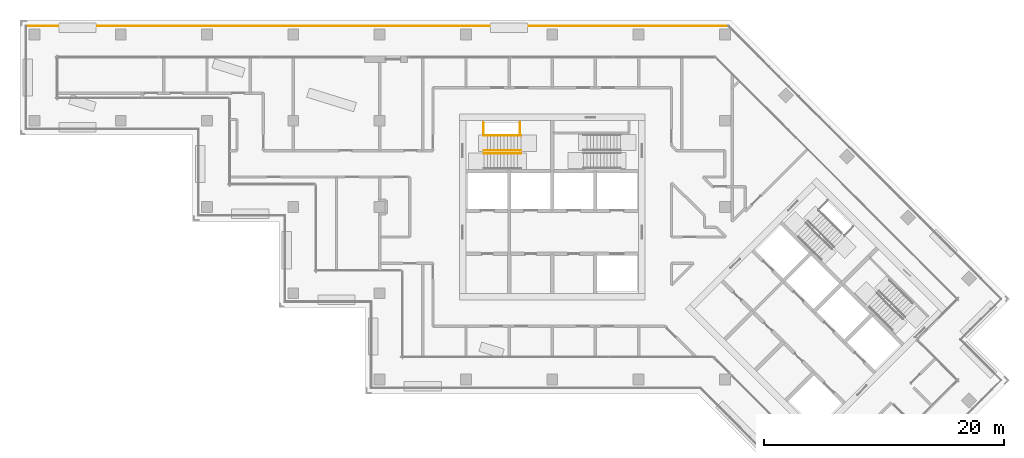
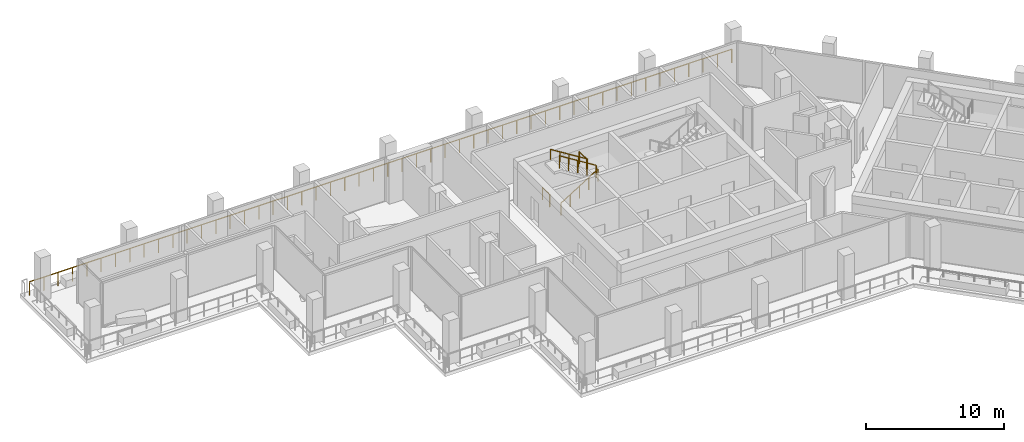
# One storey, part 16 of 19: 6 railings.
"""IFC4 building model written with IfcOpenShell, lengths in metres."""

from ifc_helpers import new_model, si_unit, direction, frame, origin, origin_2d, place, context, subcontext, project, spatial, circle, extrude, material, type_object, element, save


model = new_model("IFC4")

# Units and contexts
model_context = context("Model", 3, precision=1e-05, world=origin(), true_north=direction((0.0, 1.0)))
body_context = subcontext(model_context, "Body", "Model", "MODEL_VIEW")
ifc_project = project(units=[si_unit("LENGTHUNIT", "METRE"), si_unit("AREAUNIT", "SQUARE_METRE"), si_unit("VOLUMEUNIT", "CUBIC_METRE"), si_unit("PLANEANGLEUNIT", "RADIAN"), si_unit("MASSUNIT", "GRAM", prefix="KILO")], contexts=[model_context])

# Site, building, storey
site_placement = place(None, origin())
site = spatial("IfcSite", under=ifc_project, at=site_placement, CompositionType="ELEMENT")
building_placement = place(site_placement, origin())
building = spatial("IfcBuilding", under=site, at=building_placement, Name="Windrow Commons", CompositionType="ELEMENT")
storey_placement = place(building_placement, frame((0.0, 0.0, 185.4)))
storey = spatial("IfcBuildingStorey", under=building, at=storey_placement, Name="L50", CompositionType="ELEMENT", Elevation=185.4)

# Railings
ifc_material_1 = material(Name="Steel S355", Category="steel")
railing_type_1 = type_object("IfcRailingType", Name="Core stair guard 1100", PredefinedType="GUARDRAIL", material=ifc_material_1)
railing_1_placement = place(storey_placement, frame((59.1, 62.05, 0.175)))
element("IfcRailing", 1, at=railing_1_placement, inside=storey, type_object=railing_type_1, Name="L50 ST-A1 stair guard 1", PredefinedType="GUARDRAIL", context=body_context, shape_type="SweptSolid", body=[
    extrude(circle(Radius=0.024, at=origin_2d()), frame((0.0, 0.0, 1.076), z_axis=(0.847998304, 0.0, 0.52999894), x_axis=(0.0, 1.0, 0.0)), (0.0, 0.0, 1.0), 3.6321),
    extrude(circle(Radius=0.021, at=origin_2d()), origin(), (0.0, 0.0, 1.0), 1.052),
    extrude(circle(Radius=0.021, at=origin_2d()), frame((0.77, 0.0, 0.4813)), (0.0, 0.0, 1.0), 1.052),
    extrude(circle(Radius=0.021, at=origin_2d()), frame((1.54, 0.0, 0.9625)), (0.0, 0.0, 1.0), 1.052),
    extrude(circle(Radius=0.021, at=origin_2d()), frame((2.31, 0.0, 1.4438)), (0.0, 0.0, 1.0), 1.052),
    extrude(circle(Radius=0.021, at=origin_2d()), frame((3.08, 0.0, 1.925)), (0.0, 0.0, 1.0), 1.052),
])
railing_2_placement = place(storey_placement, frame((62.18, 62.3, 2.275)))
element("IfcRailing", 2, at=railing_2_placement, inside=storey, type_object=railing_type_1, Name="L50 ST-A1 stair guard 2", PredefinedType="GUARDRAIL", context=body_context, shape_type="SweptSolid", body=[
    extrude(circle(Radius=0.024, at=origin_2d()), frame((0.0, 0.0, 1.076), z_axis=(-0.847998304, 0.0, 0.52999894), x_axis=(0.0, -1.0, 0.0)), (0.0, 0.0, 1.0), 3.6321),
    extrude(circle(Radius=0.021, at=origin_2d()), origin(), (0.0, 0.0, 1.0), 1.052),
    extrude(circle(Radius=0.021, at=origin_2d()), frame((-0.77, 0.0, 0.4812)), (0.0, 0.0, 1.0), 1.052),
    extrude(circle(Radius=0.021, at=origin_2d()), frame((-1.54, 0.0, 0.9625)), (0.0, 0.0, 1.0), 1.052),
    extrude(circle(Radius=0.021, at=origin_2d()), frame((-2.31, 0.0, 1.4437)), (0.0, 0.0, 1.0), 1.052),
    extrude(circle(Radius=0.021, at=origin_2d()), frame((-3.08, 0.0, 1.925)), (0.0, 0.0, 1.0), 1.052),
])
for number, where, name in (
    (3, (59.05, 63.6, 0.0), "L50 ST-A1 stair guard 3"),
    (4, (62.11, 63.6, 2.1), "L50 ST-A1 stair guard 4"),
):
    element("IfcRailing", number, at=place(storey_placement, frame(where)), inside=storey, type_object=railing_type_1, Name=name, PredefinedType="GUARDRAIL", context=body_context, shape_type="SweptSolid", body=[
        extrude(circle(Radius=0.024, at=origin_2d()), frame((0.0, 0.0, 1.076), z_axis=(0.0, 1.0, 0.0), x_axis=(-1.0, 0.0, 0.0)), (0.0, 0.0, 1.0), 1.03),
        extrude(circle(Radius=0.021, at=origin_2d()), origin(), (0.0, 0.0, 1.0), 1.052),
        extrude(circle(Radius=0.021, at=origin_2d()), frame((0.0, 1.03, 0.0)), (0.0, 0.0, 1.0), 1.052),
    ])
ifc_material_2 = material(Name="Steel S355", Category="steel")
railing_type_2 = type_object("IfcRailingType", Name="Core stair handrail 900", PredefinedType="HANDRAIL", material=ifc_material_2)
railing_3_placement = place(storey_placement, frame((62.18, 63.55, 2.275)))
element("IfcRailing", 5, at=railing_3_placement, inside=storey, type_object=railing_type_2, Name="L50 ST-A1 stair handrail 2", PredefinedType="HANDRAIL", context=body_context, shape_type="SweptSolid", body=[
    extrude(circle(Radius=0.024, at=origin_2d()), frame((0.0, 0.0, 0.876), z_axis=(-0.847998304, 0.0, 0.52999894), x_axis=(0.0, -1.0, 0.0)), (0.0, 0.0, 1.0), 3.6321),
    extrude(circle(Radius=0.021, at=origin_2d()), origin(), (0.0, 0.0, 1.0), 0.852),
    extrude(circle(Radius=0.021, at=origin_2d()), frame((-0.77, 0.0, 0.4812)), (0.0, 0.0, 1.0), 0.852),
    extrude(circle(Radius=0.021, at=origin_2d()), frame((-1.54, 0.0, 0.9625)), (0.0, 0.0, 1.0), 0.852),
    extrude(circle(Radius=0.021, at=origin_2d()), frame((-2.31, 0.0, 1.4437)), (0.0, 0.0, 1.0), 0.852),
    extrude(circle(Radius=0.021, at=origin_2d()), frame((-3.08, 0.0, 1.925)), (0.0, 0.0, 1.0), 0.852),
])
ifc_material_3 = material(Name="Stainless steel S316 balustrade with toughened glass infill", Category="steel")
railing_type_3 = type_object("IfcRailingType", Name="Terrace guard 1200 podium", PredefinedType="BALUSTRADE", material=ifc_material_3)
railing_4_placement = place(storey_placement, frame((20.9, 72.7, 0.05)))
element("IfcRailing", 6, at=railing_4_placement, inside=storey, type_object=railing_type_3, Name="Guard TR-L50-1.E9", PredefinedType="BALUSTRADE", context=body_context, shape_type="SweptSolid", body=[
    extrude(circle(Radius=0.025, at=origin_2d()), frame((0.0, 0.0, 1.175), z_axis=(1.0, 0.0, 0.0), x_axis=(0.0, 1.0, 0.0)), (0.0, 0.0, 1.0), 58.59),
    extrude(circle(Radius=0.02, at=origin_2d()), origin(), (0.0, 0.0, 1.0), 1.15),
    extrude(circle(Radius=0.02, at=origin_2d()), frame((1.1957, 0.0, 0.0)), (0.0, 0.0, 1.0), 1.15),
    extrude(circle(Radius=0.02, at=origin_2d()), frame((2.3914, 0.0, 0.0)), (0.0, 0.0, 1.0), 1.15),
    extrude(circle(Radius=0.02, at=origin_2d()), frame((3.5871, 0.0, 0.0)), (0.0, 0.0, 1.0), 1.15),
    extrude(circle(Radius=0.02, at=origin_2d()), frame((4.7829, 0.0, 0.0)), (0.0, 0.0, 1.0), 1.15),
    extrude(circle(Radius=0.02, at=origin_2d()), frame((5.9786, 0.0, 0.0)), (0.0, 0.0, 1.0), 1.15),
    extrude(circle(Radius=0.02, at=origin_2d()), frame((7.1743, 0.0, 0.0)), (0.0, 0.0, 1.0), 1.15),
    extrude(circle(Radius=0.02, at=origin_2d()), frame((8.37, 0.0, 0.0)), (0.0, 0.0, 1.0), 1.15),
    extrude(circle(Radius=0.02, at=origin_2d()), frame((9.5657, 0.0, 0.0)), (0.0, 0.0, 1.0), 1.15),
    extrude(circle(Radius=0.02, at=origin_2d()), frame((10.7614, 0.0, 0.0)), (0.0, 0.0, 1.0), 1.15),
    extrude(circle(Radius=0.02, at=origin_2d()), frame((11.9571, 0.0, 0.0)), (0.0, 0.0, 1.0), 1.15),
    extrude(circle(Radius=0.02, at=origin_2d()), frame((13.1529, 0.0, 0.0)), (0.0, 0.0, 1.0), 1.15),
    extrude(circle(Radius=0.02, at=origin_2d()), frame((14.3486, 0.0, 0.0)), (0.0, 0.0, 1.0), 1.15),
    extrude(circle(Radius=0.02, at=origin_2d()), frame((15.5443, 0.0, 0.0)), (0.0, 0.0, 1.0), 1.15),
    extrude(circle(Radius=0.02, at=origin_2d()), frame((16.74, 0.0, 0.0)), (0.0, 0.0, 1.0), 1.15),
    extrude(circle(Radius=0.02, at=origin_2d()), frame((17.9357, 0.0, 0.0)), (0.0, 0.0, 1.0), 1.15),
    extrude(circle(Radius=0.02, at=origin_2d()), frame((19.1314, 0.0, 0.0)), (0.0, 0.0, 1.0), 1.15),
    extrude(circle(Radius=0.02, at=origin_2d()), frame((20.3271, 0.0, 0.0)), (0.0, 0.0, 1.0), 1.15),
    extrude(circle(Radius=0.02, at=origin_2d()), frame((21.5229, 0.0, 0.0)), (0.0, 0.0, 1.0), 1.15),
    extrude(circle(Radius=0.02, at=origin_2d()), frame((22.7186, 0.0, 0.0)), (0.0, 0.0, 1.0), 1.15),
    extrude(circle(Radius=0.02, at=origin_2d()), frame((23.9143, 0.0, 0.0)), (0.0, 0.0, 1.0), 1.15),
    extrude(circle(Radius=0.02, at=origin_2d()), frame((25.11, 0.0, 0.0)), (0.0, 0.0, 1.0), 1.15),
    extrude(circle(Radius=0.02, at=origin_2d()), frame((26.3057, 0.0, 0.0)), (0.0, 0.0, 1.0), 1.15),
    extrude(circle(Radius=0.02, at=origin_2d()), frame((27.5014, 0.0, 0.0)), (0.0, 0.0, 1.0), 1.15),
    extrude(circle(Radius=0.02, at=origin_2d()), frame((28.6971, 0.0, 0.0)), (0.0, 0.0, 1.0), 1.15),
    extrude(circle(Radius=0.02, at=origin_2d()), frame((29.8929, 0.0, 0.0)), (0.0, 0.0, 1.0), 1.15),
    extrude(circle(Radius=0.02, at=origin_2d()), frame((31.0886, 0.0, 0.0)), (0.0, 0.0, 1.0), 1.15),
    extrude(circle(Radius=0.02, at=origin_2d()), frame((32.2843, 0.0, 0.0)), (0.0, 0.0, 1.0), 1.15),
    extrude(circle(Radius=0.02, at=origin_2d()), frame((33.48, 0.0, 0.0)), (0.0, 0.0, 1.0), 1.15),
    extrude(circle(Radius=0.02, at=origin_2d()), frame((34.6757, 0.0, 0.0)), (0.0, 0.0, 1.0), 1.15),
    extrude(circle(Radius=0.02, at=origin_2d()), frame((35.8714, 0.0, 0.0)), (0.0, 0.0, 1.0), 1.15),
    extrude(circle(Radius=0.02, at=origin_2d()), frame((37.0671, 0.0, 0.0)), (0.0, 0.0, 1.0), 1.15),
    extrude(circle(Radius=0.02, at=origin_2d()), frame((38.2629, 0.0, 0.0)), (0.0, 0.0, 1.0), 1.15),
    extrude(circle(Radius=0.02, at=origin_2d()), frame((39.4586, 0.0, 0.0)), (0.0, 0.0, 1.0), 1.15),
    extrude(circle(Radius=0.02, at=origin_2d()), frame((40.6543, 0.0, 0.0)), (0.0, 0.0, 1.0), 1.15),
    extrude(circle(Radius=0.02, at=origin_2d()), frame((41.85, 0.0, 0.0)), (0.0, 0.0, 1.0), 1.15),
    extrude(circle(Radius=0.02, at=origin_2d()), frame((43.0457, 0.0, 0.0)), (0.0, 0.0, 1.0), 1.15),
    extrude(circle(Radius=0.02, at=origin_2d()), frame((44.2414, 0.0, 0.0)), (0.0, 0.0, 1.0), 1.15),
    extrude(circle(Radius=0.02, at=origin_2d()), frame((45.4371, 0.0, 0.0)), (0.0, 0.0, 1.0), 1.15),
    extrude(circle(Radius=0.02, at=origin_2d()), frame((46.6329, 0.0, 0.0)), (0.0, 0.0, 1.0), 1.15),
    extrude(circle(Radius=0.02, at=origin_2d()), frame((47.8286, 0.0, 0.0)), (0.0, 0.0, 1.0), 1.15),
    extrude(circle(Radius=0.02, at=origin_2d()), frame((49.0243, 0.0, 0.0)), (0.0, 0.0, 1.0), 1.15),
    extrude(circle(Radius=0.02, at=origin_2d()), frame((50.22, 0.0, 0.0)), (0.0, 0.0, 1.0), 1.15),
    extrude(circle(Radius=0.02, at=origin_2d()), frame((51.4157, 0.0, 0.0)), (0.0, 0.0, 1.0), 1.15),
    extrude(circle(Radius=0.02, at=origin_2d()), frame((52.6114, 0.0, 0.0)), (0.0, 0.0, 1.0), 1.15),
    extrude(circle(Radius=0.02, at=origin_2d()), frame((53.8071, 0.0, 0.0)), (0.0, 0.0, 1.0), 1.15),
    extrude(circle(Radius=0.02, at=origin_2d()), frame((55.0029, 0.0, 0.0)), (0.0, 0.0, 1.0), 1.15),
    extrude(circle(Radius=0.02, at=origin_2d()), frame((56.1986, 0.0, 0.0)), (0.0, 0.0, 1.0), 1.15),
    extrude(circle(Radius=0.02, at=origin_2d()), frame((57.3943, 0.0, 0.0)), (0.0, 0.0, 1.0), 1.15),
    extrude(circle(Radius=0.02, at=origin_2d()), frame((58.59, 0.0, 0.0)), (0.0, 0.0, 1.0), 1.15),
])

save(model, "model.ifc")
